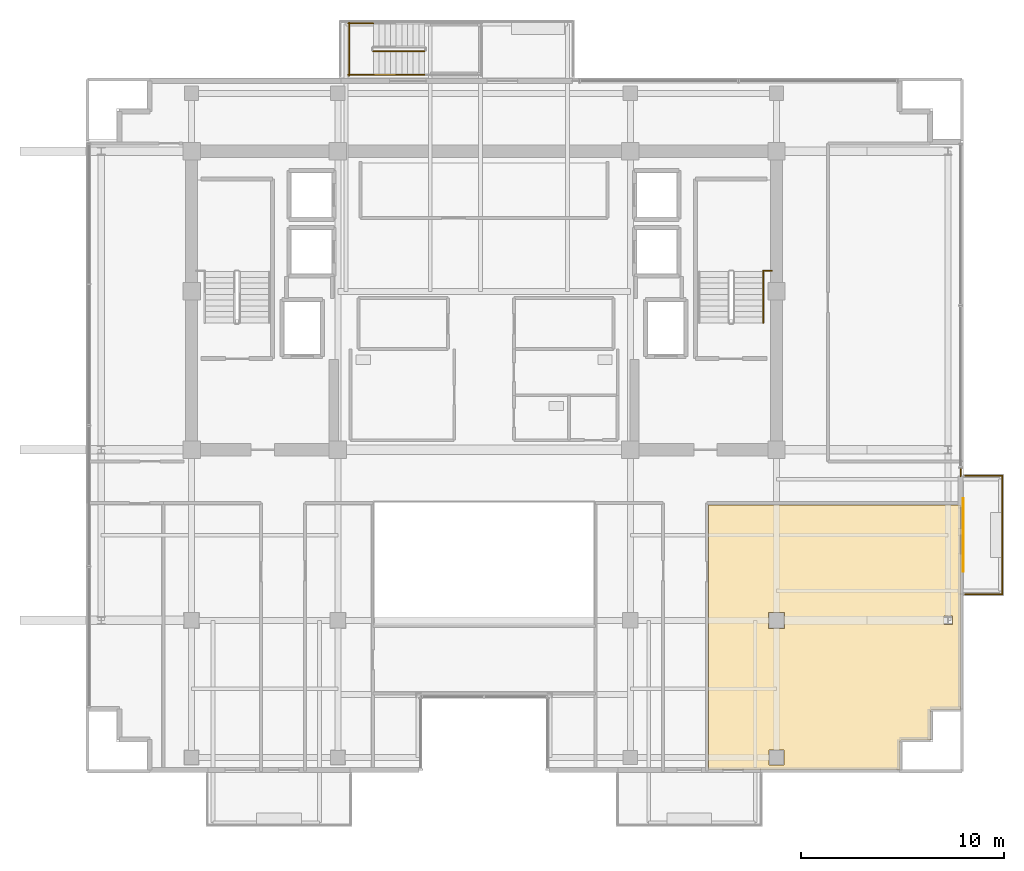
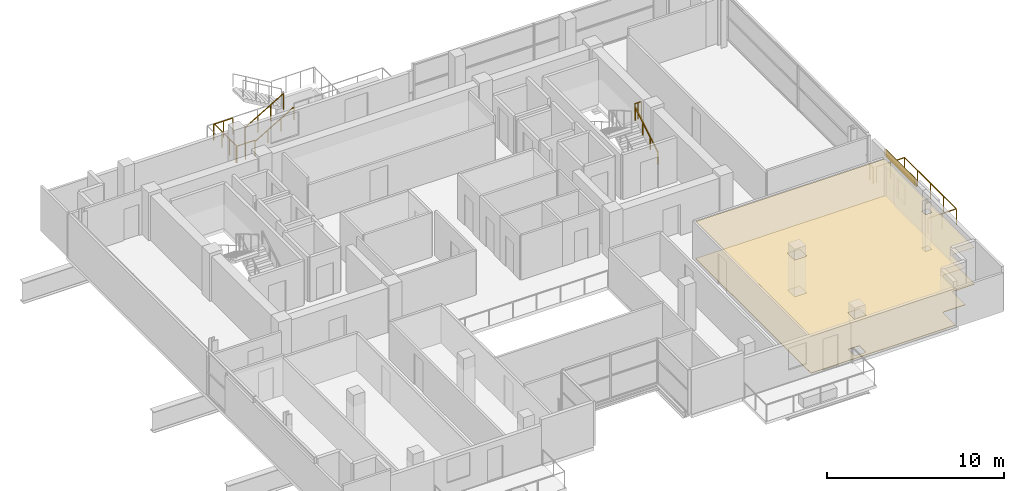
# One storey, part 21 of 23: 9 railings, 3 coverings, 1 shading device.
"""IFC4 building model written with IfcOpenShell, lengths in metres."""

import ifcopenshell
import ifcopenshell.guid

model = None  # the IFC model being written
_history = None  # IfcOwnerHistory: only IFC2X3 demands one
_inside = {}  # id of a spatial element -> (the spatial element, [elements in it])
_under = {}  # id of a project, library or spatial element -> (it, [spatial elements below it])
_declared = {}  # id of a project -> (the project, [libraries it declares])
_typed = {}  # id of a type object -> (the type object, [elements of that type])
_made_of = {}  # id of a material, layer set ... -> (it, [elements and type objects made of it])


def new_model(schema):
    """Start an empty IFC model of exactly this schema.

    Asked for "IFC4X3", IfcOpenShell would pick the latest addendum, in which some entities
    have other attributes; the version numbers below select the first issue.
    IFC2X3 requires an IfcOwnerHistory on every rooted entity: one is made here for all.
    """
    global model, _history
    if schema == "IFC4X3":
        model = ifcopenshell.file(schema_version=(4, 3, 0, 0))
    else:
        model = ifcopenshell.file(schema=schema)
    _inside.clear()
    _under.clear()
    _declared.clear()
    _typed.clear()
    _made_of.clear()
    _history = None
    if model.schema == "IFC2X3":
        org = make("IfcOrganization", Name="unknown")
        user = make(
            "IfcPersonAndOrganization",
            ThePerson=make("IfcPerson", FamilyName="unknown"),
            TheOrganization=org,
        )
        app = make(
            "IfcApplication",
            ApplicationDeveloper=org,
            Version="unknown",
            ApplicationFullName="unknown",
            ApplicationIdentifier="unknown",
        )
        _history = make(
            "IfcOwnerHistory",
            OwningUser=user,
            OwningApplication=app,
            ChangeAction="ADDED",
            CreationDate=0,
        )
    return model


def make(cls, **values):
    """One entity of the class cls with the attributes given. An attribute that is None is left unset."""
    return model.create_entity(
        cls, **{name: value for name, value in values.items() if value is not None}
    )


def rooted(cls, **values):
    """An entity with a GlobalId (a new one), such as an element, a storey or a relation."""
    return make(cls, GlobalId=ifcopenshell.guid.new(), OwnerHistory=_history, **values)


def si_unit(unit_type, name, prefix=None):
    """IfcSIUnit, for example si_unit("LENGTHUNIT", "METRE", prefix="MILLI")."""
    return make("IfcSIUnit", UnitType=unit_type, Prefix=prefix, Name=name)


def assignment(units):
    """IfcUnitAssignment: the units of a project."""
    return None if units is None else make("IfcUnitAssignment", Units=units)


def point(xyz):
    """IfcCartesianPoint."""
    return None if xyz is None else make("IfcCartesianPoint", Coordinates=xyz)


def direction(xyz):
    """IfcDirection."""
    return None if xyz is None else make("IfcDirection", DirectionRatios=xyz)


def frame(location, z_axis=None, x_axis=None):
    """IfcAxis2Placement3D, a coordinate frame: its origin and axes. An axis left out is left unset."""
    return make(
        "IfcAxis2Placement3D",
        Location=point(location),
        Axis=direction(z_axis),
        RefDirection=direction(x_axis),
    )


def frame_2d(location, x_axis=None):
    """IfcAxis2Placement2D, a coordinate frame in the plane: its origin and x axis."""
    return make(
        "IfcAxis2Placement2D", Location=point(location), RefDirection=direction(x_axis)
    )


def origin():
    """The frame at (0, 0, 0) with its axes left unset."""
    return frame((0.0, 0.0, 0.0))


def origin_2d():
    """The frame at (0, 0) in the plane with its x axis left unset."""
    return frame_2d((0.0, 0.0))


def place(relative_to, where):
    """IfcLocalPlacement: puts the frame where relative to a parent placement (None: the world)."""
    return make(
        "IfcLocalPlacement", PlacementRelTo=relative_to, RelativePlacement=where
    )


def context(
    kind, dimensions, precision=None, world=None, true_north=None, identifier=None
):
    """IfcGeometricRepresentationContext, for example the 3D "Model" context."""
    return make(
        "IfcGeometricRepresentationContext",
        ContextIdentifier=identifier,
        ContextType=kind,
        CoordinateSpaceDimension=dimensions,
        Precision=precision,
        WorldCoordinateSystem=world,
        TrueNorth=true_north,
    )


def subcontext(parent, identifier, kind, view, scale=None):
    """IfcGeometricRepresentationSubContext, for example "Body" below "Model"."""
    return make(
        "IfcGeometricRepresentationSubContext",
        ContextIdentifier=identifier,
        ContextType=kind,
        ParentContext=parent,
        TargetScale=scale,
        TargetView=view,
    )


def project(units=None, contexts=None):
    """IfcProject with its units and contexts."""
    return rooted(
        "IfcProject",
        Name="project",
        RepresentationContexts=contexts,
        UnitsInContext=assignment(units),
    )


def spatial(cls, under=None, at=None, **own):
    """A site, building, storey or space (cls), placed at a placement, below another one or the project."""
    s = rooted(cls, ObjectPlacement=at, **own)
    if under is not None:
        _under.setdefault(under.id(), (under, []))[1].append(s)
    return s


def polyline(points):
    """IfcPolyline through the points."""
    return make("IfcPolyline", Points=[point(p) for p in points])


def profile(cls, at=None, kind="AREA", **sizes):
    """A parametric profile (cls). Its sizes go by their IFC names, for example OverallWidth=200.0."""
    return make(cls, ProfileType=kind, Position=at, **sizes)


def rectangle(**sizes):
    """IfcRectangleProfileDef."""
    return profile("IfcRectangleProfileDef", **sizes)


def outline(outer, holes=None, kind="AREA"):
    """IfcArbitraryClosedProfileDef: a profile drawn as a closed curve; with holes, ...WithVoids."""
    if holes is None:
        return make("IfcArbitraryClosedProfileDef", ProfileType=kind, OuterCurve=outer)
    return make(
        "IfcArbitraryProfileDefWithVoids",
        ProfileType=kind,
        OuterCurve=outer,
        InnerCurves=holes,
    )


def extrude(swept, where, along, depth):
    """IfcExtrudedAreaSolid: the profile swept, set in the frame where, extruded along a direction by depth."""
    return make(
        "IfcExtrudedAreaSolid",
        SweptArea=swept,
        Position=where,
        ExtrudedDirection=direction(along),
        Depth=depth,
    )


def shape(context_of_items, identifier, shape_type, items):
    """IfcShapeRepresentation: the items that make up one representation, for example the "Body"."""
    return make(
        "IfcShapeRepresentation",
        ContextOfItems=context_of_items,
        RepresentationIdentifier=identifier,
        RepresentationType=shape_type,
        Items=items,
    )


def source(mapping_origin, context_of_items, identifier, shape_type, items):
    """IfcRepresentationMap: a shape defined once, which mapped items show again and again."""
    return make(
        "IfcRepresentationMap",
        MappingOrigin=mapping_origin,
        MappedRepresentation=shape(context_of_items, identifier, shape_type, items),
    )


def transform(
    local_origin,
    x_axis=None,
    y_axis=None,
    z_axis=None,
    scale=None,
    scale2=None,
    scale3=None,
    uniform=True,
):
    """IfcCartesianTransformationOperator3D, or its non-uniform kind. x_axis, y_axis, z_axis: its Axis1, 2, 3."""
    if uniform:
        return make(
            "IfcCartesianTransformationOperator3D",
            Axis1=direction(x_axis),
            Axis2=direction(y_axis),
            LocalOrigin=point(local_origin),
            Scale=scale,
            Axis3=direction(z_axis),
        )
    return make(
        "IfcCartesianTransformationOperator3DnonUniform",
        Axis1=direction(x_axis),
        Axis2=direction(y_axis),
        LocalOrigin=point(local_origin),
        Scale=scale,
        Axis3=direction(z_axis),
        Scale2=scale2,
        Scale3=scale3,
    )


def mapped(mapping_source, mapping_target):
    """IfcMappedItem: shows the shape of a source again, moved by a transform."""
    return make(
        "IfcMappedItem", MappingSource=mapping_source, MappingTarget=mapping_target
    )


def material(Name=None, Category=None):
    """IfcMaterial."""
    return make("IfcMaterial", Name=Name, Category=Category)


def layer(
    of_material, thickness, ventilated=None, Name=None, Category=None, Priority=None
):
    """IfcMaterialLayer: one layer of a wall or slab, of a material (None: an air gap)."""
    return make(
        "IfcMaterialLayer",
        Material=of_material,
        LayerThickness=thickness,
        IsVentilated=ventilated,
        Name=Name,
        Category=Category,
        Priority=Priority,
    )


def layer_set(layers, Name=None):
    """IfcMaterialLayerSet."""
    return make("IfcMaterialLayerSet", MaterialLayers=layers, LayerSetName=Name)


def made_of(thing, what):
    """Note that an element or type object is made of a material, layer set ...; save() writes the relation."""
    if what is not None:
        _made_of.setdefault(what.id(), (what, []))[1].append(thing)
    return thing


def type_object(cls, material=None, **own):
    """A type object (cls), such as IfcWallType, which elements share."""
    return made_of(rooted(cls, **own), material)


def element(
    cls,
    number,
    at=None,
    inside=None,
    cuts=None,
    type_object=None,
    material=None,
    context=None,
    identifier="Body",
    shape_type=None,
    held_by="IfcProductDefinitionShape",
    body=None,
    shapes=None,
    **own,
):
    """One element of the class cls, such as IfcWall. Its Tag is "e" and its number.

    at: its placement. inside: the storey or other place that contains it. cuts: it is an
    opening in that element (IfcRelVoidsElement). A single representation is given by context,
    identifier, shape_type and body (its items); several are given by shapes. held_by: the class
    of the entity that holds the representations. save() writes the other relations.
    """
    e = rooted(cls, Tag="e%d" % number, ObjectPlacement=at, **own)
    if body is not None:
        shapes = [shape(context, identifier, shape_type, body)]
    if shapes is not None:
        e.Representation = make(held_by, Representations=shapes)
    if inside is not None:
        _inside.setdefault(inside.id(), (inside, []))[1].append(e)
    if cuts is not None:
        rooted(
            "IfcRelVoidsElement", RelatingBuildingElement=cuts, RelatedOpeningElement=e
        )
    if type_object is not None:
        _typed.setdefault(type_object.id(), (type_object, []))[1].append(e)
    return made_of(e, material)


def aggregate(whole, parts):
    """IfcRelAggregates: a whole, such as a stair, and the parts it consists of."""
    return rooted("IfcRelAggregates", RelatingObject=whole, RelatedObjects=parts)


def save(model, path):
    """Write the relations noted so far, then the file.

    IfcRelAggregates (storeys below a building ...), IfcRelContainedInSpatialStructure (elements
    in a storey), IfcRelDefinesByType, IfcRelAssociatesMaterial and IfcRelDeclares: one each for
    every whole, place, type object, material and project.
    """
    for whole, parts in _under.values():
        aggregate(whole, parts)
    for where, things in _inside.values():
        rooted(
            "IfcRelContainedInSpatialStructure",
            RelatedElements=things,
            RelatingStructure=where,
        )
    for kind, things in _typed.values():
        rooted("IfcRelDefinesByType", RelatedObjects=things, RelatingType=kind)
    for what, things in _made_of.values():
        rooted("IfcRelAssociatesMaterial", RelatedObjects=things, RelatingMaterial=what)
    for by, libraries in _declared.values():
        rooted("IfcRelDeclares", RelatingContext=by, RelatedDefinitions=libraries)
    model.write(path)


model = new_model("IFC4")

# Units and contexts
model_context = context("Model", 3, precision=1e-05, world=origin(), true_north=direction((0.0, 1.0)))
body_context = subcontext(model_context, "Body", "Model", "MODEL_VIEW")
ifc_project = project(units=[si_unit("LENGTHUNIT", "METRE"), si_unit("AREAUNIT", "SQUARE_METRE"), si_unit("VOLUMEUNIT", "CUBIC_METRE"), si_unit("PLANEANGLEUNIT", "RADIAN"), si_unit("MASSUNIT", "GRAM", prefix="KILO")], contexts=[model_context])

# Site, building, storey
site_placement = place(None, origin())
site = spatial("IfcSite", under=ifc_project, at=site_placement, CompositionType="ELEMENT")
building_placement = place(site_placement, origin())
building = spatial("IfcBuilding", under=site, at=building_placement, Name="Zarnakvel Exchange Tower", CompositionType="ELEMENT")
storey_placement = place(building_placement, frame((0.0, 0.0, 232.0)))
storey = spatial("IfcBuildingStorey", under=building, at=storey_placement, Name="L65", CompositionType="ELEMENT", Elevation=232.0)

# Coverings
ifc_material_1 = material(Name="Perforated Bronze Acoustic Metal Ceiling", Category="aluminium")
ifc_layer_1 = layer(ifc_material_1, 0.02001953125)
ifc_layer_set_1 = layer_set([ifc_layer_1], Name="Perforated Bronze Acoustic Metal Ceiling")
covering_type_1 = type_object("IfcCoveringType", Name="CLG-01", PredefinedType="CEILING", material=ifc_layer_set_1)
covering_1_placement = place(storey_placement, frame((0.0, 0.0, 2.554931640625)))
element("IfcCovering", 1, at=covering_1_placement, inside=storey, type_object=covering_type_1, Name="L65 Suspended Acoustic Ceiling (Seminar Room)", PredefinedType="CEILING", context=body_context, shape_type="SweptSolid", body=[
    extrude(outline(polyline([(11.06005859375, -3.909912109375), (23.449951171875, -3.909912109375), (23.449951171875, -13.97998046875), (22.10009765625, -13.97998046875), (22.088134765625, -13.98046875), (22.07666015625, -13.982421875), (22.065185546875, -13.985107421875), (22.05419921875, -13.989013671875), (22.04345703125, -13.994140625), (22.033447265625, -14.000244140625), (22.02392578125, -14.00732421875), (22.01513671875, -14.01513671875), (22.00732421875, -14.02392578125), (22.000244140625, -14.033447265625), (21.994140625, -14.04345703125), (21.989013671875, -14.05419921875), (21.985107421875, -14.065185546875), (21.982421875, -14.07666015625), (21.98046875, -14.088134765625), (21.97998046875, -14.10009765625), (21.97998046875, -15.47998046875), (20.60009765625, -15.47998046875), (20.588134765625, -15.48046875), (20.57666015625, -15.482421875), (20.565185546875, -15.485107421875), (20.55419921875, -15.489013671875), (20.54345703125, -15.494140625), (20.533447265625, -15.500244140625), (20.52392578125, -15.50732421875), (20.51513671875, -15.51513671875), (20.50732421875, -15.52392578125), (20.500244140625, -15.533447265625), (20.494140625, -15.54345703125), (20.489013671875, -15.55419921875), (20.485107421875, -15.565185546875), (20.482421875, -15.57666015625), (20.48046875, -15.588134765625), (20.47998046875, -15.60009765625), (20.47998046875, -16.949951171875), (11.06005859375, -16.949951171875), (11.06005859375, -3.909912109375)]), holes=[polyline([(23.057373046875, -9.807373046875), (23.057373046875, -9.392578125), (22.642578125, -9.392578125), (22.642578125, -9.807373046875), (23.057373046875, -9.807373046875)]), polyline([(14.794921875, -9.9951171875), (14.794921875, -9.205078125), (14.0048828125, -9.205078125), (14.0048828125, -9.9951171875), (14.794921875, -9.9951171875)]), polyline([(14.77001953125, -16.719970703125), (14.77001953125, -15.97998046875), (14.030029296875, -15.97998046875), (14.030029296875, -16.719970703125), (14.77001953125, -16.719970703125)])]), origin(), (0.0, 0.0, 1.0), 0.02001953125),
])
ifc_material_2 = material(Name="Heavy-Duty Raised Access Floor Panel", Category="steel")
ifc_layer_2 = layer(ifc_material_2, 0.034912109375)
ifc_layer_set_2 = layer_set([ifc_layer_2], Name="Heavy-Duty Raised Access Floor Panel")
covering_type_2 = type_object("IfcCoveringType", Name="FLR-02", PredefinedType="FLOORING", material=ifc_layer_set_2)
covering_2_placement = place(storey_placement, origin())
element("IfcCovering", 2, at=covering_2_placement, inside=storey, type_object=covering_type_2, Name="L65 Floor Finish (Seminar Room)", PredefinedType="FLOORING", context=body_context, shape_type="SweptSolid", body=[
    extrude(outline(polyline([(11.06005859375, -3.909912109375), (23.449951171875, -3.909912109375), (23.449951171875, -13.97998046875), (22.10009765625, -13.97998046875), (22.088134765625, -13.98046875), (22.07666015625, -13.982421875), (22.065185546875, -13.985107421875), (22.05419921875, -13.989013671875), (22.04345703125, -13.994140625), (22.033447265625, -14.000244140625), (22.02392578125, -14.00732421875), (22.01513671875, -14.01513671875), (22.00732421875, -14.02392578125), (22.000244140625, -14.033447265625), (21.994140625, -14.04345703125), (21.989013671875, -14.05419921875), (21.985107421875, -14.065185546875), (21.982421875, -14.07666015625), (21.98046875, -14.088134765625), (21.97998046875, -14.10009765625), (21.97998046875, -15.47998046875), (20.60009765625, -15.47998046875), (20.588134765625, -15.48046875), (20.57666015625, -15.482421875), (20.565185546875, -15.485107421875), (20.55419921875, -15.489013671875), (20.54345703125, -15.494140625), (20.533447265625, -15.500244140625), (20.52392578125, -15.50732421875), (20.51513671875, -15.51513671875), (20.50732421875, -15.52392578125), (20.500244140625, -15.533447265625), (20.494140625, -15.54345703125), (20.489013671875, -15.55419921875), (20.485107421875, -15.565185546875), (20.482421875, -15.57666015625), (20.48046875, -15.588134765625), (20.47998046875, -15.60009765625), (20.47998046875, -16.949951171875), (11.06005859375, -16.949951171875), (11.06005859375, -3.909912109375)]), holes=[polyline([(23.057373046875, -9.807373046875), (23.057373046875, -9.392578125), (22.642578125, -9.392578125), (22.642578125, -9.807373046875), (23.057373046875, -9.807373046875)]), polyline([(14.794921875, -9.9951171875), (14.794921875, -9.205078125), (14.0048828125, -9.205078125), (14.0048828125, -9.9951171875), (14.794921875, -9.9951171875)]), polyline([(14.77001953125, -16.719970703125), (14.77001953125, -15.97998046875), (14.030029296875, -15.97998046875), (14.030029296875, -16.719970703125), (14.77001953125, -16.719970703125)])]), origin(), (0.0, 0.0, 1.0), 0.034912109375),
])

# Railings
ifc_material_3 = material(Name="Architectural Bronze Anodised Aluminium", Category="aluminium")
railing_type_1 = type_object("IfcRailingType", Name="GR-02", PredefinedType="GUARDRAIL", material=ifc_material_3)
railing_1_placement = place(storey_placement, frame((23.679931640625, -8.320068359375, -0.034912109375)))
element("IfcRailing", 3, at=railing_1_placement, inside=storey, type_object=railing_type_1, Name="L65 Balcony Guardrail BAL-L65-E", PredefinedType="GUARDRAIL", context=body_context, shape_type="SweptSolid", body=[
    extrude(rectangle(XDim=0.048095703125, YDim=0.048095703125, at=origin_2d()), frame((0.0, 0.0, 1.09619140625), z_axis=(1.0, 0.0, 0.0), x_axis=(0.0, 1.0, 0.0)), (0.0, 0.0, 1.0), 1.840087890625),
    extrude(rectangle(XDim=0.048095703125, YDim=0.048095703125, at=origin_2d()), frame((1.840087890625, 0.0, 1.09619140625), z_axis=(0.0, 1.0, 0.0), x_axis=(-1.0, 0.0, 0.0)), (0.0, 0.0, 1.0), 5.840087890625),
    extrude(rectangle(XDim=0.048095703125, YDim=0.048095703125, at=origin_2d()), frame((1.840087890625, 5.840087890625, 1.09619140625), z_axis=(-1.0, 0.0, 0.0), x_axis=(0.0, -1.0, 0.0)), (0.0, 0.0, 1.0), 1.840087890625),
    extrude(rectangle(XDim=0.0419921875, YDim=0.0419921875, at=origin_2d()), origin(), (0.0, 0.0, 1.0), 1.072021484375),
    extrude(rectangle(XDim=0.0419921875, YDim=0.0419921875, at=origin_2d()), frame((0.919921875, 0.0, 0.0)), (0.0, 0.0, 1.0), 1.072021484375),
    extrude(rectangle(XDim=0.0419921875, YDim=0.0419921875, at=origin_2d()), frame((1.840087890625, 0.0, 0.0)), (0.0, 0.0, 1.0), 1.072021484375),
    extrude(rectangle(XDim=0.0419921875, YDim=0.0419921875, at=origin_2d()), frame((1.840087890625, 1.4599609375, 0.0)), (0.0, 0.0, 1.0), 1.072021484375),
    extrude(rectangle(XDim=0.0419921875, YDim=0.0419921875, at=origin_2d()), frame((1.840087890625, 2.919921875, 0.0)), (0.0, 0.0, 1.0), 1.072021484375),
    extrude(rectangle(XDim=0.0419921875, YDim=0.0419921875, at=origin_2d()), frame((1.840087890625, 4.380126953125, 0.0)), (0.0, 0.0, 1.0), 1.072021484375),
    extrude(rectangle(XDim=0.0419921875, YDim=0.0419921875, at=origin_2d()), frame((1.840087890625, 5.840087890625, 0.0)), (0.0, 0.0, 1.0), 1.072021484375),
    extrude(rectangle(XDim=0.0419921875, YDim=0.0419921875, at=origin_2d()), frame((0.919921875, 5.840087890625, 0.0)), (0.0, 0.0, 1.0), 1.072021484375),
    extrude(rectangle(XDim=0.0419921875, YDim=0.0419921875, at=origin_2d()), frame((0.0, 5.840087890625, 0.0)), (0.0, 0.0, 1.0), 1.072021484375),
])
railing_2_placement = place(storey_placement, frame((23.4599609375, -2.10009765625, 0.0)))
element("IfcRailing", 4, at=railing_2_placement, inside=storey, type_object=railing_type_1, Name="L65 Corner Spandrel Balustrade #11", PredefinedType="GUARDRAIL", context=body_context, shape_type="SweptSolid", body=[
    extrude(rectangle(XDim=0.048095703125, YDim=0.048095703125, at=origin_2d()), frame((0.0, 0.0, 1.09619140625), z_axis=(0.0, -1.0, 0.0), x_axis=(1.0, 0.0, 0.0)), (0.0, 0.0, 1.0), 0.39990234375),
    extrude(rectangle(XDim=0.0419921875, YDim=0.0419921875, at=origin_2d()), origin(), (0.0, 0.0, 1.0), 1.072021484375),
    extrude(rectangle(XDim=0.0419921875, YDim=0.0419921875, at=origin_2d()), frame((0.0, -0.39990234375, 0.0)), (0.0, 0.0, 1.0), 1.072021484375),
])
ifc_material_4 = material(Name="Brushed Stainless Steel", Category="steel")
railing_type_2 = type_object("IfcRailingType", Name="HR-01", PredefinedType="HANDRAIL", material=ifc_material_4)
railing_3_placement = place(storey_placement, frame((13.75, 5.050048828125, 0.1650390625)))
element("IfcRailing", 5, at=railing_3_placement, inside=storey, type_object=railing_type_2, Name="L65 ST-02 stair handrail 1", PredefinedType="HANDRAIL", context=body_context, shape_type="SweptSolid", body=[
    extrude(rectangle(XDim=0.048095703125, YDim=0.048095703125, at=origin_2d()), frame((0.0, 0.0, 0.8759765625), z_axis=(0.0, 0.861560626758, 0.507654692109), x_axis=(-1.0, 0.0, 0.0)), (0.0, 0.0, 1.0), 2.925048828125),
    extrude(rectangle(XDim=0.0419921875, YDim=0.0419921875, at=origin_2d()), origin(), (0.0, 0.0, 1.0), 0.851806640625),
    extrude(rectangle(XDim=0.0419921875, YDim=0.0419921875, at=origin_2d()), frame((0.0, 0.840087890625, 0.494873046875)), (0.0, 0.0, 1.0), 0.851806640625),
    extrude(rectangle(XDim=0.0419921875, YDim=0.0419921875, at=origin_2d()), frame((0.0, 1.679931640625, 0.989990234375)), (0.0, 0.0, 1.0), 0.851806640625),
    extrude(rectangle(XDim=0.0419921875, YDim=0.0419921875, at=origin_2d()), frame((0.0, 2.52001953125, 1.48486328125)), (0.0, 0.0, 1.0), 0.851806640625),
])
railing_4_placement = place(storey_placement, frame((-5.449951171875, 17.27001953125, 0.1650390625)))
element("IfcRailing", 6, at=railing_4_placement, inside=storey, type_object=railing_type_2, Name="L65 ST-14 stair handrail 1", PredefinedType="HANDRAIL", context=body_context, shape_type="SweptSolid", body=[
    extrude(rectangle(XDim=0.048095703125, YDim=0.048095703125, at=origin_2d()), frame((0.0, 0.0, 0.8759765625), z_axis=(0.861560626758, 0.0, 0.507654692109), x_axis=(0.0, 1.0, 0.0)), (0.0, 0.0, 1.0), 2.925048828125),
    extrude(rectangle(XDim=0.0419921875, YDim=0.0419921875, at=origin_2d()), origin(), (0.0, 0.0, 1.0), 0.851806640625),
    extrude(rectangle(XDim=0.0419921875, YDim=0.0419921875, at=origin_2d()), frame((0.840087890625, 0.0, 0.494873046875)), (0.0, 0.0, 1.0), 0.851806640625),
    extrude(rectangle(XDim=0.0419921875, YDim=0.0419921875, at=origin_2d()), frame((1.679931640625, 0.0, 0.989990234375)), (0.0, 0.0, 1.0), 0.851806640625),
    extrude(rectangle(XDim=0.0419921875, YDim=0.0419921875, at=origin_2d()), frame((2.52001953125, 0.0, 1.48486328125)), (0.0, 0.0, 1.0), 0.851806640625),
])
railing_type_3 = type_object("IfcRailingType", Name="SG-01", PredefinedType="GUARDRAIL", material=ifc_material_3)
railing_5_placement = place(storey_placement, frame((13.75, 7.610107421875, 1.64990234375)))
element("IfcRailing", 7, at=railing_5_placement, inside=storey, type_object=railing_type_3, Name="L65 ST-02 Landing Slot Guardrail", PredefinedType="GUARDRAIL", context=body_context, shape_type="SweptSolid", body=[
    extrude(rectangle(XDim=0.048095703125, YDim=0.048095703125, at=origin_2d()), frame((0.0, 0.0, 1.1259765625), z_axis=(1.0, 0.0, 0.0), x_axis=(0.0, 1.0, 0.0)), (0.0, 0.0, 1.0), 0.429931640625),
    extrude(rectangle(XDim=0.0419921875, YDim=0.0419921875, at=origin_2d()), origin(), (0.0, 0.0, 1.0), 1.101806640625),
    extrude(rectangle(XDim=0.0419921875, YDim=0.0419921875, at=origin_2d()), frame((0.21484375, 0.0, 0.0)), (0.0, 0.0, 1.0), 1.101806640625),
    extrude(rectangle(XDim=0.0419921875, YDim=0.0419921875, at=origin_2d()), frame((0.429931640625, 0.0, 0.0)), (0.0, 0.0, 1.0), 1.101806640625),
])
railing_6_placement = place(storey_placement, frame((-5.449951171875, 18.419921875, 0.1650390625)))
element("IfcRailing", 8, at=railing_6_placement, inside=storey, type_object=railing_type_3, Name="L65 ST-14 stair guard 1", PredefinedType="GUARDRAIL", context=body_context, shape_type="SweptSolid", body=[
    extrude(rectangle(XDim=0.048095703125, YDim=0.048095703125, at=origin_2d()), frame((0.0, 0.0, 1.1259765625), z_axis=(0.861560626758, 0.0, 0.507654692109), x_axis=(0.0, 1.0, 0.0)), (0.0, 0.0, 1.0), 2.925048828125),
    extrude(rectangle(XDim=0.0419921875, YDim=0.0419921875, at=origin_2d()), origin(), (0.0, 0.0, 1.0), 1.101806640625),
    extrude(rectangle(XDim=0.0419921875, YDim=0.0419921875, at=origin_2d()), frame((0.840087890625, 0.0, 0.494873046875)), (0.0, 0.0, 1.0), 1.101806640625),
    extrude(rectangle(XDim=0.0419921875, YDim=0.0419921875, at=origin_2d()), frame((1.679931640625, 0.0, 0.989990234375)), (0.0, 0.0, 1.0), 1.101806640625),
    extrude(rectangle(XDim=0.0419921875, YDim=0.0419921875, at=origin_2d()), frame((2.52001953125, 0.0, 1.48486328125)), (0.0, 0.0, 1.0), 1.101806640625),
])
for number, where, name in (
    (9, (-6.699951171875, 17.27001953125, 0.0), "L65 ST-14 stair guard 8"),
    (10, (-6.699951171875, 19.7900390625, 0.0), "L65 ST-14 stair guard 9"),
):
    element("IfcRailing", number, at=place(storey_placement, frame(where)), inside=storey, type_object=railing_type_3, Name=name, PredefinedType="GUARDRAIL", context=body_context, shape_type="SweptSolid", body=[
        extrude(rectangle(XDim=0.048095703125, YDim=0.048095703125, at=origin_2d()), frame((0.0, 0.0, 1.1259765625), z_axis=(1.0, 0.0, 0.0), x_axis=(0.0, 1.0, 0.0)), (0.0, 0.0, 1.0), 1.25),
        extrude(rectangle(XDim=0.0419921875, YDim=0.0419921875, at=origin_2d()), origin(), (0.0, 0.0, 1.0), 1.101806640625),
        extrude(rectangle(XDim=0.0419921875, YDim=0.0419921875, at=origin_2d()), frame((0.625, 0.0, 0.0)), (0.0, 0.0, 1.0), 1.101806640625),
        extrude(rectangle(XDim=0.0419921875, YDim=0.0419921875, at=origin_2d()), frame((1.25, 0.0, 0.0)), (0.0, 0.0, 1.0), 1.101806640625),
    ])
railing_7_placement = place(storey_placement, frame((-6.64990234375, 17.219970703125, 0.0)))
element("IfcRailing", 11, at=railing_7_placement, inside=storey, type_object=railing_type_3, Name="L65 ST-14 stair guard 10", PredefinedType="GUARDRAIL", context=body_context, shape_type="SweptSolid", body=[
    extrude(rectangle(XDim=0.048095703125, YDim=0.048095703125, at=origin_2d()), frame((0.0, 0.0, 1.1259765625), z_axis=(0.0, 1.0, 0.0), x_axis=(-1.0, 0.0, 0.0)), (0.0, 0.0, 1.0), 2.6201171875),
    extrude(rectangle(XDim=0.0419921875, YDim=0.0419921875, at=origin_2d()), origin(), (0.0, 0.0, 1.0), 1.101806640625),
    extrude(rectangle(XDim=0.0419921875, YDim=0.0419921875, at=origin_2d()), frame((0.0, 0.873291015625, 0.0)), (0.0, 0.0, 1.0), 1.101806640625),
    extrude(rectangle(XDim=0.0419921875, YDim=0.0419921875, at=origin_2d()), frame((0.0, 1.746826171875, 0.0)), (0.0, 0.0, 1.0), 1.101806640625),
    extrude(rectangle(XDim=0.0419921875, YDim=0.0419921875, at=origin_2d()), frame((0.0, 2.6201171875, 0.0)), (0.0, 0.0, 1.0), 1.101806640625),
])

# Shading device
ifc_material_5 = material(Name="Perforated Architectural Bronze Screen", Category="aluminium")
ifc_layer_3 = layer(ifc_material_5, 0.044921875)
ifc_layer_set_3 = layer_set([ifc_layer_3], Name="Perforated Architectural Bronze Screen")
shading_device_type = type_object("IfcShadingDeviceType", Name="SS-01", PredefinedType="JALOUSIE", material=ifc_layer_set_3)
shared_shape_1 = source(origin(), body_context, "Body", "SweptSolid", [
    extrude(rectangle(XDim=3.199951171875, YDim=0.044921875, at=origin_2d()), origin(), (0.0, 0.0, 1.0), 0.4951171875),
])
shading_device_placement = place(storey_placement, frame((23.6005859375, -5.39990234375, 2.56005859375), z_axis=(0.0, 0.0, 1.0), x_axis=(0.0, -1.0, 0.0)))
element("IfcShadingDevice", 12, at=shading_device_placement, inside=storey, type_object=shading_device_type, Name="L65 Bronze Solar Shading Screen SS-01", PredefinedType="JALOUSIE", context=body_context, shape_type="MappedRepresentation", body=[
    mapped(shared_shape_1, transform((0.0, 0.0, 0.0), x_axis=(1.0, 0.0, 0.0), y_axis=(0.0, 1.0, 0.0), z_axis=(0.0, 0.0, 1.0), scale=1.0)),
])

# Covering
ifc_material_6 = material(Name="Glazed Turquoise Ceramic Architectural Tile", Category="ceramic")
ifc_layer_4 = layer(ifc_material_6, 0.028076171875)
ifc_layer_set_4 = layer_set([ifc_layer_4], Name="Glazed Turquoise Ceramic Architectural Tile")
covering_type_3 = type_object("IfcCoveringType", Name="CL-01", PredefinedType="CLADDING", material=ifc_layer_set_4)
shared_shape_2 = source(origin(), body_context, "Body", "SweptSolid", [
    extrude(rectangle(XDim=3.60009765625, YDim=0.028076171875, at=origin_2d()), origin(), (0.0, 0.0, 1.0), 0.4951171875),
])
covering_3_placement = place(storey_placement, frame((23.592041015625, -5.39990234375, 2.56005859375), z_axis=(0.0, 0.0, 1.0), x_axis=(0.0, -1.0, 0.0)))
element("IfcCovering", 13, at=covering_3_placement, inside=storey, type_object=covering_type_3, Name="L65 Ceramic Spandrel Tilework CL-01", PredefinedType="CLADDING", context=body_context, shape_type="MappedRepresentation", body=[
    mapped(shared_shape_2, transform((0.0, 0.0, 0.0), x_axis=(1.0, 0.0, 0.0), y_axis=(0.0, 1.0, 0.0), z_axis=(0.0, 0.0, 1.0), scale=1.0)),
])

save(model, "model.ifc")
